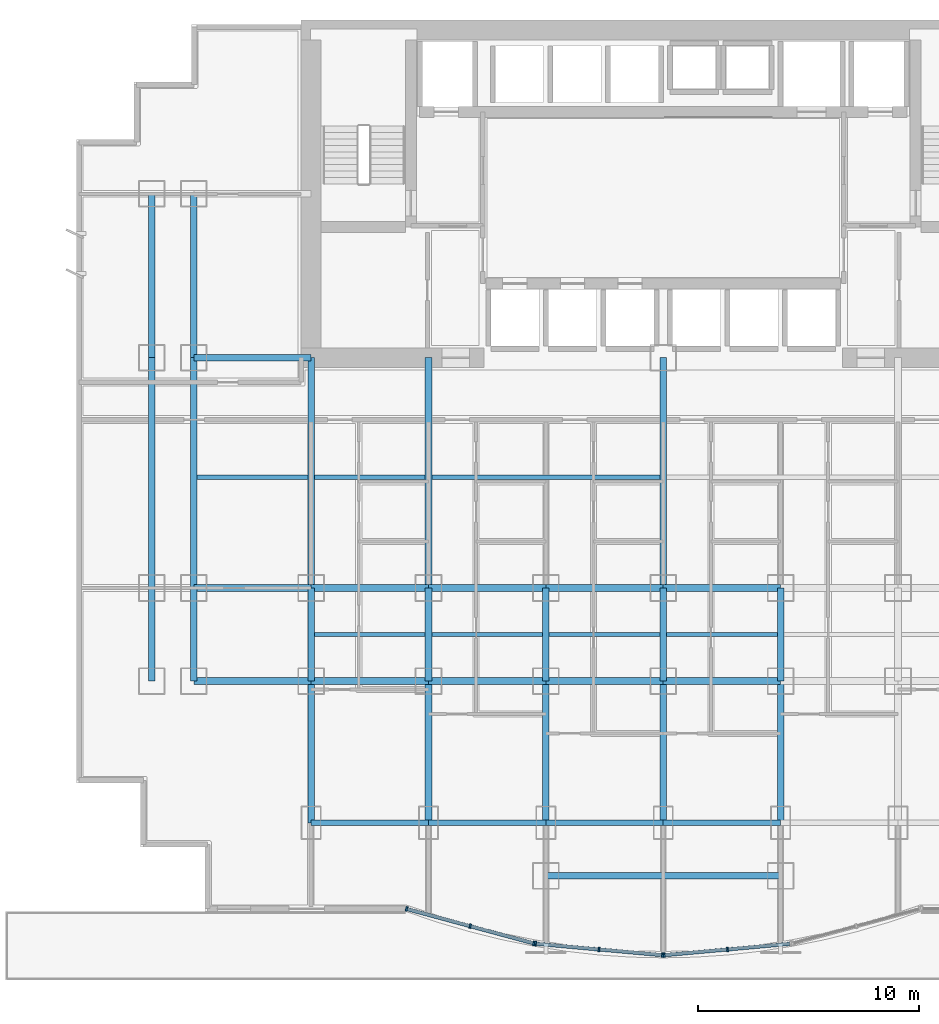
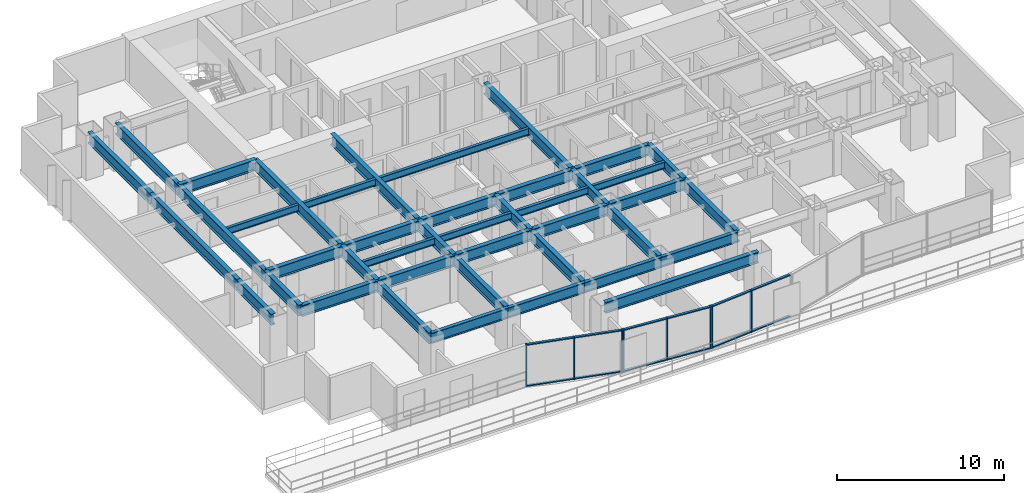
# One storey, part 2 of 11: 42 beams, 20 members, 3 elements without a shape of their own.
"""IFC4 building model written with IfcOpenShell, lengths in metres."""

from ifc_helpers import new_model, si_unit, direction, frame, origin, origin_2d, place, context, subcontext, project, spatial, rectangle, i_section, extrude, source, transform, mapped, material, layer, layer_set, material_profile, profile_set, type_object, element, aggregate, save


model = new_model("IFC4")

# Units and contexts
model_context = context("Model", 3, precision=1e-05, world=origin(), true_north=direction((0.0, 1.0)))
body_context = subcontext(model_context, "Body", "Model", "MODEL_VIEW")
ifc_project = project(units=[si_unit("LENGTHUNIT", "METRE"), si_unit("AREAUNIT", "SQUARE_METRE"), si_unit("VOLUMEUNIT", "CUBIC_METRE"), si_unit("PLANEANGLEUNIT", "RADIAN"), si_unit("MASSUNIT", "GRAM", prefix="KILO")], contexts=[model_context])

# Site, building, storey
site_placement = place(None, origin())
site = spatial("IfcSite", under=ifc_project, at=site_placement, CompositionType="ELEMENT")
building_placement = place(site_placement, origin())
building = spatial("IfcBuilding", under=site, at=building_placement, Name="Qianlan Lanfeng Residences", CompositionType="ELEMENT")
storey_placement = place(building_placement, frame((0.0, 0.0, 24.199951171875)))
storey = spatial("IfcBuildingStorey", under=building, at=storey_placement, Name="L05", CompositionType="ELEMENT", Elevation=24.199951171875)

# Beams
ifc_material_1 = material(Name="Steel SN490B", Category="steel")
ifc_material_profile_1 = material_profile(ifc_material_1, i_section(OverallWidth=0.300048828125, OverallDepth=0.800048828125, WebThickness=0.01611328125, FlangeThickness=0.028076171875, at=origin_2d()), Name="H 800x300x16x28")
ifc_profile_set_1 = profile_set([ifc_material_profile_1], Name="Steel SN490B")
beam_type_1 = type_object("IfcBeamType", Name="G-950", PredefinedType="BEAM", material=ifc_profile_set_1)
beam_1_placement = place(storey_placement, frame((21.199951171875, 1.800048828125, 2.679931640625), z_axis=(1.0, 0.0, 0.0), x_axis=(0.0, 1.0, 0.0)))
element("IfcBeam", 1, at=beam_1_placement, inside=storey, type_object=beam_type_1, Name="Structural beam G-950", PredefinedType="BEAM", context=body_context, shape_type="SweptSolid", body=[
    extrude(i_section(OverallWidth=0.300048828125, OverallDepth=0.800048828125, WebThickness=0.01611328125, FlangeThickness=0.028076171875, at=origin_2d()), origin(), (0.0, 0.0, 1.0), 10.60009765625),
])
beam_2_placement = place(storey_placement, frame((5.300048828125, 10.60009765625, 2.679931640625), z_axis=(1.0, 0.0, 0.0), x_axis=(0.0, 1.0, 0.0)))
element("IfcBeam", 2, at=beam_2_placement, inside=storey, type_object=beam_type_1, Name="Structural beam G-950", PredefinedType="BEAM", context=body_context, shape_type="SweptSolid", body=[
    extrude(i_section(OverallWidth=0.300048828125, OverallDepth=0.800048828125, WebThickness=0.01611328125, FlangeThickness=0.028076171875, at=origin_2d()), origin(), (0.0, 0.0, 1.0), 5.300048828125),
])
beam_3_placement = place(storey_placement, frame((10.60009765625, 10.60009765625, 2.679931640625), z_axis=(1.0, 0.0, 0.0), x_axis=(0.0, 1.0, 0.0)))
element("IfcBeam", 3, at=beam_3_placement, inside=storey, type_object=beam_type_1, Name="Structural beam G-950", PredefinedType="BEAM", context=body_context, shape_type="SweptSolid", body=[
    extrude(i_section(OverallWidth=0.300048828125, OverallDepth=0.800048828125, WebThickness=0.01611328125, FlangeThickness=0.028076171875, at=origin_2d()), origin(), (0.0, 0.0, 1.0), 5.2998046875),
])
for number, where, z_axis, x_axis, name in (
    (4, (15.89990234375, 10.60009765625, 2.679931640625), (1.0, 0.0, 0.0), (0.0, 1.0, 0.0), "Structural beam G-950"),
    (5, (21.199951171875, 10.60009765625, 2.679931640625), (1.0, 0.0, 0.0), (0.0, 1.0, 0.0), "Structural beam G-950"),
    (6, (26.5, 10.60009765625, 2.679931640625), (1.0, 0.0, 0.0), (0.0, 1.0, 0.0), "Structural beam G-950"),
    (7, (5.300048828125, 14.800048828125, 2.679931640625), (1.0, 0.0, 0.0), (0.0, 1.0, 0.0), "Structural beam G-950"),
):
    element("IfcBeam", number, at=place(storey_placement, frame(where, z_axis=z_axis, x_axis=x_axis)), inside=storey, type_object=beam_type_1, Name=name, PredefinedType="BEAM", context=body_context, shape_type="SweptSolid", body=[
        extrude(i_section(OverallWidth=0.300048828125, OverallDepth=0.800048828125, WebThickness=0.01611328125, FlangeThickness=0.028076171875, at=origin_2d()), origin(), (0.0, 0.0, 1.0), 5.300048828125),
    ])
beam_4_placement = place(storey_placement, frame((10.60009765625, 14.800048828125, 2.679931640625), z_axis=(1.0, 0.0, 0.0), x_axis=(0.0, 1.0, 0.0)))
element("IfcBeam", 8, at=beam_4_placement, inside=storey, type_object=beam_type_1, Name="Structural beam G-950", PredefinedType="BEAM", context=body_context, shape_type="SweptSolid", body=[
    extrude(i_section(OverallWidth=0.300048828125, OverallDepth=0.800048828125, WebThickness=0.01611328125, FlangeThickness=0.028076171875, at=origin_2d()), origin(), (0.0, 0.0, 1.0), 5.2998046875),
])
for number, where, z_axis, x_axis, name in (
    (9, (15.89990234375, 14.800048828125, 2.679931640625), (1.0, 0.0, 0.0), (0.0, 1.0, 0.0), "Structural beam G-950"),
    (10, (21.199951171875, 14.800048828125, 2.679931640625), (1.0, 0.0, 0.0), (0.0, 1.0, 0.0), "Structural beam G-950"),
    (11, (26.5, 14.800048828125, 2.679931640625), (1.0, 0.0, 0.0), (0.0, 1.0, 0.0), "Structural beam G-950"),
    (12, (5.300048828125, 25.199951171875, 2.679931640625), (1.0, 0.0, 0.0), (0.0, 1.0, 0.0), "Structural beam G-950"),
):
    element("IfcBeam", number, at=place(storey_placement, frame(where, z_axis=z_axis, x_axis=x_axis)), inside=storey, type_object=beam_type_1, Name=name, PredefinedType="BEAM", context=body_context, shape_type="SweptSolid", body=[
        extrude(i_section(OverallWidth=0.300048828125, OverallDepth=0.800048828125, WebThickness=0.01611328125, FlangeThickness=0.028076171875, at=origin_2d()), origin(), (0.0, 0.0, 1.0), 5.300048828125),
    ])
beam_5_placement = place(storey_placement, frame((3.39990234375, 10.60009765625, 2.679931640625), z_axis=(0.0, 1.0, 0.0), x_axis=(-1.0, 0.0, 0.0)))
element("IfcBeam", 13, at=beam_5_placement, inside=storey, type_object=beam_type_1, Name="Structural beam G-950", PredefinedType="BEAM", context=body_context, shape_type="SweptSolid", body=[
    extrude(i_section(OverallWidth=0.300048828125, OverallDepth=0.800048828125, WebThickness=0.01611328125, FlangeThickness=0.028076171875, at=origin_2d()), origin(), (0.0, 0.0, 1.0), 4.199951171875),
])
beam_6_placement = place(storey_placement, frame((3.39990234375, 14.800048828125, 2.679931640625), z_axis=(0.0, 1.0, 0.0), x_axis=(-1.0, 0.0, 0.0)))
element("IfcBeam", 14, at=beam_6_placement, inside=storey, type_object=beam_type_1, Name="Structural beam G-950", PredefinedType="BEAM", context=body_context, shape_type="SweptSolid", body=[
    extrude(i_section(OverallWidth=0.300048828125, OverallDepth=0.800048828125, WebThickness=0.01611328125, FlangeThickness=0.028076171875, at=origin_2d()), origin(), (0.0, 0.0, 1.0), 10.39990234375),
])
beam_7_placement = place(storey_placement, frame((3.39990234375, 25.199951171875, 2.679931640625), z_axis=(0.0, 1.0, 0.0), x_axis=(-1.0, 0.0, 0.0)))
element("IfcBeam", 15, at=beam_7_placement, inside=storey, type_object=beam_type_1, Name="Structural beam G-950", PredefinedType="BEAM", context=body_context, shape_type="SweptSolid", body=[
    extrude(i_section(OverallWidth=0.300048828125, OverallDepth=0.800048828125, WebThickness=0.01611328125, FlangeThickness=0.028076171875, at=origin_2d()), origin(), (0.0, 0.0, 1.0), 7.400146484375),
])
beam_8_placement = place(storey_placement, frame((5.300048828125, 10.60009765625, 2.679931640625), z_axis=(0.0, 1.0, 0.0), x_axis=(-1.0, 0.0, 0.0)))
element("IfcBeam", 16, at=beam_8_placement, inside=storey, type_object=beam_type_1, Name="Structural beam G-950", PredefinedType="BEAM", context=body_context, shape_type="SweptSolid", body=[
    extrude(i_section(OverallWidth=0.300048828125, OverallDepth=0.800048828125, WebThickness=0.01611328125, FlangeThickness=0.028076171875, at=origin_2d()), origin(), (0.0, 0.0, 1.0), 4.199951171875),
])
beam_9_placement = place(storey_placement, frame((5.300048828125, 14.800048828125, 2.679931640625), z_axis=(0.0, 1.0, 0.0), x_axis=(-1.0, 0.0, 0.0)))
element("IfcBeam", 17, at=beam_9_placement, inside=storey, type_object=beam_type_1, Name="Structural beam G-950", PredefinedType="BEAM", context=body_context, shape_type="SweptSolid", body=[
    extrude(i_section(OverallWidth=0.300048828125, OverallDepth=0.800048828125, WebThickness=0.01611328125, FlangeThickness=0.028076171875, at=origin_2d()), origin(), (0.0, 0.0, 1.0), 10.39990234375),
])
beam_10_placement = place(storey_placement, frame((5.300048828125, 25.199951171875, 2.679931640625), z_axis=(0.0, 1.0, 0.0), x_axis=(-1.0, 0.0, 0.0)))
element("IfcBeam", 18, at=beam_10_placement, inside=storey, type_object=beam_type_1, Name="Structural beam G-950", PredefinedType="BEAM", context=body_context, shape_type="SweptSolid", body=[
    extrude(i_section(OverallWidth=0.300048828125, OverallDepth=0.800048828125, WebThickness=0.01611328125, FlangeThickness=0.028076171875, at=origin_2d()), origin(), (0.0, 0.0, 1.0), 7.400146484375),
])
beam_11_placement = place(storey_placement, frame((10.60009765625, 4.199951171875, 2.679931640625), z_axis=(0.0, 1.0, 0.0), x_axis=(-1.0, 0.0, 0.0)))
element("IfcBeam", 19, at=beam_11_placement, inside=storey, type_object=beam_type_1, Name="Structural beam G-950", PredefinedType="BEAM", context=body_context, shape_type="SweptSolid", body=[
    extrude(i_section(OverallWidth=0.300048828125, OverallDepth=0.800048828125, WebThickness=0.01611328125, FlangeThickness=0.028076171875, at=origin_2d()), origin(), (0.0, 0.0, 1.0), 6.400146484375),
])
beam_12_placement = place(storey_placement, frame((10.60009765625, 10.60009765625, 2.679931640625), z_axis=(0.0, 1.0, 0.0), x_axis=(-1.0, 0.0, 0.0)))
element("IfcBeam", 20, at=beam_12_placement, inside=storey, type_object=beam_type_1, Name="Structural beam G-950", PredefinedType="BEAM", context=body_context, shape_type="SweptSolid", body=[
    extrude(i_section(OverallWidth=0.300048828125, OverallDepth=0.800048828125, WebThickness=0.01611328125, FlangeThickness=0.028076171875, at=origin_2d()), origin(), (0.0, 0.0, 1.0), 4.199951171875),
])
beam_13_placement = place(storey_placement, frame((10.60009765625, 14.800048828125, 2.679931640625), z_axis=(0.0, 1.0, 0.0), x_axis=(-1.0, 0.0, 0.0)))
element("IfcBeam", 21, at=beam_13_placement, inside=storey, type_object=beam_type_1, Name="Structural beam G-950", PredefinedType="BEAM", context=body_context, shape_type="SweptSolid", body=[
    extrude(i_section(OverallWidth=0.300048828125, OverallDepth=0.800048828125, WebThickness=0.01611328125, FlangeThickness=0.028076171875, at=origin_2d()), origin(), (0.0, 0.0, 1.0), 10.39990234375),
])
beam_14_placement = place(storey_placement, frame((15.89990234375, 4.199951171875, 2.679931640625), z_axis=(0.0, 1.0, 0.0), x_axis=(-1.0, 0.0, 0.0)))
element("IfcBeam", 22, at=beam_14_placement, inside=storey, type_object=beam_type_1, Name="Structural beam G-950", PredefinedType="BEAM", context=body_context, shape_type="SweptSolid", body=[
    extrude(i_section(OverallWidth=0.300048828125, OverallDepth=0.800048828125, WebThickness=0.01611328125, FlangeThickness=0.028076171875, at=origin_2d()), origin(), (0.0, 0.0, 1.0), 6.400146484375),
])
beam_15_placement = place(storey_placement, frame((15.89990234375, 10.60009765625, 2.679931640625), z_axis=(0.0, 1.0, 0.0), x_axis=(-1.0, 0.0, 0.0)))
element("IfcBeam", 23, at=beam_15_placement, inside=storey, type_object=beam_type_1, Name="Structural beam G-950", PredefinedType="BEAM", context=body_context, shape_type="SweptSolid", body=[
    extrude(i_section(OverallWidth=0.300048828125, OverallDepth=0.800048828125, WebThickness=0.01611328125, FlangeThickness=0.028076171875, at=origin_2d()), origin(), (0.0, 0.0, 1.0), 4.199951171875),
])
beam_16_placement = place(storey_placement, frame((15.89990234375, 14.800048828125, 2.679931640625), z_axis=(0.0, 1.0, 0.0), x_axis=(-1.0, 0.0, 0.0)))
element("IfcBeam", 24, at=beam_16_placement, inside=storey, type_object=beam_type_1, Name="Structural beam G-950", PredefinedType="BEAM", context=body_context, shape_type="SweptSolid", body=[
    extrude(i_section(OverallWidth=0.300048828125, OverallDepth=0.800048828125, WebThickness=0.01611328125, FlangeThickness=0.028076171875, at=origin_2d()), origin(), (0.0, 0.0, 1.0), 10.39990234375),
])
beam_17_placement = place(storey_placement, frame((21.199951171875, 4.199951171875, 2.679931640625), z_axis=(0.0, 1.0, 0.0), x_axis=(-1.0, 0.0, 0.0)))
element("IfcBeam", 25, at=beam_17_placement, inside=storey, type_object=beam_type_1, Name="Structural beam G-950", PredefinedType="BEAM", context=body_context, shape_type="SweptSolid", body=[
    extrude(i_section(OverallWidth=0.300048828125, OverallDepth=0.800048828125, WebThickness=0.01611328125, FlangeThickness=0.028076171875, at=origin_2d()), origin(), (0.0, 0.0, 1.0), 6.400146484375),
])
beam_18_placement = place(storey_placement, frame((21.199951171875, 10.60009765625, 2.679931640625), z_axis=(0.0, 1.0, 0.0), x_axis=(-1.0, 0.0, 0.0)))
element("IfcBeam", 26, at=beam_18_placement, inside=storey, type_object=beam_type_1, Name="Structural beam G-950", PredefinedType="BEAM", context=body_context, shape_type="SweptSolid", body=[
    extrude(i_section(OverallWidth=0.300048828125, OverallDepth=0.800048828125, WebThickness=0.01611328125, FlangeThickness=0.028076171875, at=origin_2d()), origin(), (0.0, 0.0, 1.0), 4.199951171875),
])
beam_19_placement = place(storey_placement, frame((26.5, 4.199951171875, 2.679931640625), z_axis=(0.0, 1.0, 0.0), x_axis=(-1.0, 0.0, 0.0)))
element("IfcBeam", 27, at=beam_19_placement, inside=storey, type_object=beam_type_1, Name="Structural beam G-950", PredefinedType="BEAM", context=body_context, shape_type="SweptSolid", body=[
    extrude(i_section(OverallWidth=0.300048828125, OverallDepth=0.800048828125, WebThickness=0.01611328125, FlangeThickness=0.028076171875, at=origin_2d()), origin(), (0.0, 0.0, 1.0), 6.400146484375),
])
beam_20_placement = place(storey_placement, frame((26.5, 10.60009765625, 2.679931640625), z_axis=(0.0, 1.0, 0.0), x_axis=(-1.0, 0.0, 0.0)))
element("IfcBeam", 28, at=beam_20_placement, inside=storey, type_object=beam_type_1, Name="Structural beam G-950", PredefinedType="BEAM", context=body_context, shape_type="SweptSolid", body=[
    extrude(i_section(OverallWidth=0.300048828125, OverallDepth=0.800048828125, WebThickness=0.01611328125, FlangeThickness=0.028076171875, at=origin_2d()), origin(), (0.0, 0.0, 1.0), 4.199951171875),
])
beam_21_placement = place(storey_placement, frame((26.5, 14.800048828125, 2.679931640625), z_axis=(0.0, 1.0, 0.0), x_axis=(-1.0, 0.0, 0.0)))
element("IfcBeam", 29, at=beam_21_placement, inside=storey, type_object=beam_type_1, Name="Structural beam G-950", PredefinedType="BEAM", context=body_context, shape_type="SweptSolid", body=[
    extrude(i_section(OverallWidth=0.300048828125, OverallDepth=0.800048828125, WebThickness=0.01611328125, FlangeThickness=0.028076171875, at=origin_2d()), origin(), (0.0, 0.0, 1.0), 10.39990234375),
])
beam_22_placement = place(storey_placement, frame((31.800048828125, 4.199951171875, 2.679931640625), z_axis=(0.0, 1.0, 0.0), x_axis=(-1.0, 0.0, 0.0)))
element("IfcBeam", 30, at=beam_22_placement, inside=storey, type_object=beam_type_1, Name="Structural beam G-950", PredefinedType="BEAM", context=body_context, shape_type="SweptSolid", body=[
    extrude(i_section(OverallWidth=0.300048828125, OverallDepth=0.800048828125, WebThickness=0.01611328125, FlangeThickness=0.028076171875, at=origin_2d()), origin(), (0.0, 0.0, 1.0), 6.400146484375),
])
beam_23_placement = place(storey_placement, frame((31.800048828125, 10.60009765625, 2.679931640625), z_axis=(0.0, 1.0, 0.0), x_axis=(-1.0, 0.0, 0.0)))
element("IfcBeam", 31, at=beam_23_placement, inside=storey, type_object=beam_type_1, Name="Structural beam G-950", PredefinedType="BEAM", context=body_context, shape_type="SweptSolid", body=[
    extrude(i_section(OverallWidth=0.300048828125, OverallDepth=0.800048828125, WebThickness=0.01611328125, FlangeThickness=0.028076171875, at=origin_2d()), origin(), (0.0, 0.0, 1.0), 4.199951171875),
])
ifc_material_profile_2 = material_profile(ifc_material_1, i_section(OverallWidth=0.199951171875, OverallDepth=0.5, WebThickness=0.010009765625, FlangeThickness=0.01611328125, at=origin_2d()), Name="H 500x200x10x16")
ifc_profile_set_2 = profile_set([ifc_material_profile_2], Name="Steel SN490B")
beam_type_2 = type_object("IfcBeamType", Name="J-500", PredefinedType="JOIST", material=ifc_profile_set_2)
for number, where, z_axis, x_axis, name in (
    (32, (10.75, 12.699951171875, 2.830078125), (1.0, 0.0, 0.0), (0.0, 1.0, 0.0), "Structural beam J-500"),
    (33, (16.050048828125, 12.699951171875, 2.830078125), (1.0, 0.0, 0.0), (0.0, 1.0, 0.0), "Structural beam J-500"),
    (34, (21.35009765625, 12.699951171875, 2.830078125), (1.0, 0.0, 0.0), (0.0, 1.0, 0.0), "Structural beam J-500"),
    (35, (26.64990234375, 12.699951171875, 2.830078125), (1.0, 0.0, 0.0), (0.0, 1.0, 0.0), "Structural beam J-500"),
    (36, (5.449951171875, 19.800048828125, 2.830078125), (1.0, 0.0, 0.0), (0.0, 1.0, 0.0), "Structural beam J-500"),
    (37, (10.75, 19.800048828125, 2.830078125), (1.0, 0.0, 0.0), (0.0, 1.0, 0.0), "Structural beam J-500"),
):
    element("IfcBeam", number, at=place(storey_placement, frame(where, z_axis=z_axis, x_axis=x_axis)), inside=storey, type_object=beam_type_2, Name=name, PredefinedType="JOIST", context=body_context, shape_type="SweptSolid", body=[
        extrude(i_section(OverallWidth=0.199951171875, OverallDepth=0.5, WebThickness=0.010009765625, FlangeThickness=0.01611328125, at=origin_2d()), origin(), (0.0, 0.0, 1.0), 5.0),
    ])
beam_24_placement = place(storey_placement, frame((16.050048828125, 19.800048828125, 2.830078125), z_axis=(1.0, 0.0, 0.0), x_axis=(0.0, 1.0, 0.0)))
element("IfcBeam", 38, at=beam_24_placement, inside=storey, type_object=beam_type_2, Name="Structural beam J-500", PredefinedType="JOIST", context=body_context, shape_type="SweptSolid", body=[
    extrude(i_section(OverallWidth=0.199951171875, OverallDepth=0.5, WebThickness=0.010009765625, FlangeThickness=0.01611328125, at=origin_2d()), origin(), (0.0, 0.0, 1.0), 10.300048828125),
])
ifc_material_profile_3 = material_profile(ifc_material_1, i_section(OverallWidth=0.25, OverallDepth=0.75, WebThickness=0.013916015625, FlangeThickness=0.02490234375, at=origin_2d()), Name="H 750x250x14x25")
ifc_profile_set_3 = profile_set([ifc_material_profile_3], Name="Steel SN490B")
beam_type_3 = type_object("IfcBeamType", Name="SG-850", PredefinedType="SPANDREL", material=ifc_profile_set_3)
beam_25_placement = place(storey_placement, frame((10.60009765625, 4.199951171875, 2.705078125), z_axis=(1.0, 0.0, 0.0), x_axis=(0.0, 1.0, 0.0)))
element("IfcBeam", 39, at=beam_25_placement, inside=storey, type_object=beam_type_3, Name="Structural beam SG-850", PredefinedType="SPANDREL", context=body_context, shape_type="SweptSolid", body=[
    extrude(i_section(OverallWidth=0.25, OverallDepth=0.75, WebThickness=0.013916015625, FlangeThickness=0.02490234375, at=origin_2d()), origin(), (0.0, 0.0, 1.0), 5.2998046875),
])
for number, where, z_axis, x_axis, name in (
    (40, (15.89990234375, 4.199951171875, 2.705078125), (1.0, 0.0, 0.0), (0.0, 1.0, 0.0), "Structural beam SG-850"),
    (41, (21.199951171875, 4.199951171875, 2.705078125), (1.0, 0.0, 0.0), (0.0, 1.0, 0.0), "Structural beam SG-850"),
    (42, (26.5, 4.199951171875, 2.705078125), (1.0, 0.0, 0.0), (0.0, 1.0, 0.0), "Structural beam SG-850"),
):
    element("IfcBeam", number, at=place(storey_placement, frame(where, z_axis=z_axis, x_axis=x_axis)), inside=storey, type_object=beam_type_3, Name=name, PredefinedType="SPANDREL", context=body_context, shape_type="SweptSolid", body=[
        extrude(i_section(OverallWidth=0.25, OverallDepth=0.75, WebThickness=0.013916015625, FlangeThickness=0.02490234375, at=origin_2d()), origin(), (0.0, 0.0, 1.0), 5.300048828125),
    ])

# Curtain wall, members
ifc_material_2 = material(Name="Anodised Bronze Aluminium 6063-T6", Category="aluminium")
ifc_layer = layer(ifc_material_2, 0.219970703125)
ifc_layer_set = layer_set([ifc_layer], Name="Anodised Bronze Aluminium 6063-T6")
curtain_wall_type = type_object("IfcCurtainWallType", Name="CW-02", PredefinedType="NOTDEFINED", material=ifc_layer_set)
curtain_wall_1_placement = place(storey_placement, origin())
curtain_wall_1 = element("IfcCurtainWall", 43, at=curtain_wall_1_placement, inside=storey, type_object=curtain_wall_type, Name="L05 Unitised Curtain Wall CWR-L05-01 (CW-02)", PredefinedType="NOTDEFINED")
ifc_material_profile_4 = material_profile(ifc_material_2, rectangle(XDim=0.080078125, YDim=0.2099609375, at=origin_2d()), Name="ALU MULLION 80x210")
ifc_profile_set_4 = profile_set([ifc_material_profile_4], Name="Anodised Bronze Aluminium 6063-T6")
member_type_1 = type_object("IfcMemberType", Name="CWM-220", PredefinedType="MULLION", material=ifc_profile_set_4)
shared_shape_1 = source(origin(), body_context, "Body", "SweptSolid", [
    extrude(rectangle(XDim=0.080078125, YDim=0.2099609375, at=origin_2d()), origin(), (0.0, 0.0, 1.0), 3.080078125),
])
member_1_placement = place(storey_placement, frame((14.90869140625, 0.3095703125, 0.0), z_axis=(0.0, 0.0, 1.0), x_axis=(0.9652627173, -0.261281240412, 0.0)))
member_1 = element("IfcMember", 44, at=member_1_placement, type_object=member_type_1, Name="CWR-L05-01 Mullion 1", PredefinedType="MULLION", context=body_context, shape_type="MappedRepresentation", body=[
    mapped(shared_shape_1, transform((0.0, 0.0, 0.0), scale=1.0)),
])
member_2_placement = place(storey_placement, frame((17.782958984375, -0.468505859375, 0.0), z_axis=(0.0, 0.0, 1.0), x_axis=(0.9652627173, -0.261281240412, 0.0)))
member_2 = element("IfcMember", 45, at=member_2_placement, type_object=member_type_1, Name="CWR-L05-01 Mullion 2", PredefinedType="MULLION", context=body_context, shape_type="MappedRepresentation", body=[
    mapped(shared_shape_1, transform((0.0, 0.0, 0.0), scale=1.0)),
])
member_3_placement = place(storey_placement, frame((20.657470703125, -1.24658203125, 0.0), z_axis=(0.0, 0.0, 1.0), x_axis=(0.9652627173, -0.261281240412, 0.0)))
member_3 = element("IfcMember", 46, at=member_3_placement, type_object=member_type_1, Name="CWR-L05-01 Mullion 3", PredefinedType="MULLION", context=body_context, shape_type="MappedRepresentation", body=[
    mapped(shared_shape_1, transform((0.0, 0.0, 0.0), scale=1.0)),
])

curtain_wall_2_placement = place(storey_placement, origin())
curtain_wall_2 = element("IfcCurtainWall", 47, at=curtain_wall_2_placement, inside=storey, type_object=curtain_wall_type, Name="L05 Unitised Curtain Wall CWR-L05-02 (CW-02)", PredefinedType="NOTDEFINED")
member_4_placement = place(storey_placement, frame((20.73583984375, -1.260498046875, 0.0), z_axis=(0.0, 0.0, 1.0), x_axis=(0.995964677764, -0.089746089862, 0.0)))
member_4 = element("IfcMember", 48, at=member_4_placement, type_object=member_type_1, Name="CWR-L05-02 Mullion 1", PredefinedType="MULLION", context=body_context, shape_type="MappedRepresentation", body=[
    mapped(shared_shape_1, transform((0.0, 0.0, 0.0), scale=1.0)),
])
member_5_placement = place(storey_placement, frame((23.597900390625, -1.5185546875, 0.0), z_axis=(0.0, 0.0, 1.0), x_axis=(0.995964677764, -0.089746089862, 0.0)))
member_5 = element("IfcMember", 49, at=member_5_placement, type_object=member_type_1, Name="CWR-L05-02 Mullion 2", PredefinedType="MULLION", context=body_context, shape_type="MappedRepresentation", body=[
    mapped(shared_shape_1, transform((0.0, 0.0, 0.0), scale=1.0)),
])
member_6_placement = place(storey_placement, frame((26.460205078125, -1.7763671875, 0.0), z_axis=(0.0, 0.0, 1.0), x_axis=(0.995964677764, -0.089746089862, 0.0)))
member_6 = element("IfcMember", 50, at=member_6_placement, type_object=member_type_1, Name="CWR-L05-02 Mullion 3", PredefinedType="MULLION", context=body_context, shape_type="MappedRepresentation", body=[
    mapped(shared_shape_1, transform((0.0, 0.0, 0.0), scale=1.0)),
])

curtain_wall_3_placement = place(storey_placement, origin())
curtain_wall_3 = element("IfcCurtainWall", 51, at=curtain_wall_3_placement, inside=storey, type_object=curtain_wall_type, Name="L05 Unitised Curtain Wall CWR-L05-03 (CW-02)", PredefinedType="NOTDEFINED")
member_7_placement = place(storey_placement, frame((26.539794921875, -1.7763671875, 0.0), z_axis=(0.0, 0.0, 1.0), x_axis=(0.995964677764, 0.089746089862, 0.0)))
member_7 = element("IfcMember", 52, at=member_7_placement, type_object=member_type_1, Name="CWR-L05-03 Mullion 1", PredefinedType="MULLION", context=body_context, shape_type="MappedRepresentation", body=[
    mapped(shared_shape_1, transform((0.0, 0.0, 0.0), scale=1.0)),
])
member_8_placement = place(storey_placement, frame((29.402099609375, -1.5185546875, 0.0), z_axis=(0.0, 0.0, 1.0), x_axis=(0.995964677764, 0.089746089862, 0.0)))
member_8 = element("IfcMember", 53, at=member_8_placement, type_object=member_type_1, Name="CWR-L05-03 Mullion 2", PredefinedType="MULLION", context=body_context, shape_type="MappedRepresentation", body=[
    mapped(shared_shape_1, transform((0.0, 0.0, 0.0), scale=1.0)),
])

# Member
ifc_material_profile_5 = material_profile(ifc_material_2, rectangle(XDim=0.080078125, YDim=0.159912109375, at=origin_2d()), Name="ALU TRANSOM 80x160")
ifc_profile_set_5 = profile_set([ifc_material_profile_5], Name="Anodised Bronze Aluminium 6063-T6")
member_type_2 = type_object("IfcMemberType", Name="CWT-180", PredefinedType="USERDEFINED", material=ifc_profile_set_5)
shared_shape_2 = source(origin(), body_context, "Body", "SweptSolid", [
    extrude(rectangle(XDim=0.080078125, YDim=0.159912109375, at=origin_2d()), origin(), (0.0, 0.0, 1.0), 2.897705078125),
])
member_9_placement = place(storey_placement, frame((14.947265625, 0.299072265625, 0.0400390625), z_axis=(0.965267548724, -0.261263390817, 0.0), x_axis=(0.0, 0.0, 1.0)))
member_9 = element("IfcMember", 54, at=member_9_placement, type_object=member_type_2, Name="CWR-L05-01 Transom 1-BOT", ObjectType="TRANSOM", PredefinedType="USERDEFINED", context=body_context, shape_type="MappedRepresentation", body=[
    mapped(shared_shape_2, transform((0.0, 0.0, 0.0), scale=1.0)),
])

member_10_placement = place(storey_placement, frame((14.947265625, 0.299072265625, 3.0400390625), z_axis=(0.965267548724, -0.261263390817, 0.0), x_axis=(0.0, 0.0, 1.0)))
member_10 = element("IfcMember", 55, at=member_10_placement, type_object=member_type_2, Name="CWR-L05-01 Transom 1-TOP", ObjectType="TRANSOM", PredefinedType="USERDEFINED", context=body_context, shape_type="MappedRepresentation", body=[
    mapped(shared_shape_2, transform((0.0, 0.0, 0.0), scale=1.0)),
])

shared_shape_3 = source(origin(), body_context, "Body", "SweptSolid", [
    extrude(rectangle(XDim=0.080078125, YDim=0.159912109375, at=origin_2d()), origin(), (0.0, 0.0, 1.0), 2.89794921875),
])
member_11_placement = place(storey_placement, frame((17.821533203125, -0.47900390625, 0.0400390625), z_axis=(0.965273298897, -0.261242145215, 0.0), x_axis=(0.0, 0.0, 1.0)))
member_11 = element("IfcMember", 56, at=member_11_placement, type_object=member_type_2, Name="CWR-L05-01 Transom 2-BOT", ObjectType="TRANSOM", PredefinedType="USERDEFINED", context=body_context, shape_type="MappedRepresentation", body=[
    mapped(shared_shape_3, transform((0.0, 0.0, 0.0), scale=1.0)),
])

member_12_placement = place(storey_placement, frame((17.821533203125, -0.47900390625, 3.0400390625), z_axis=(0.965273298897, -0.261242145215, 0.0), x_axis=(0.0, 0.0, 1.0)))
member_12 = element("IfcMember", 57, at=member_12_placement, type_object=member_type_2, Name="CWR-L05-01 Transom 2-TOP", ObjectType="TRANSOM", PredefinedType="USERDEFINED", context=body_context, shape_type="MappedRepresentation", body=[
    mapped(shared_shape_3, transform((0.0, 0.0, 0.0), scale=1.0)),
])

aggregate(curtain_wall_1, [member_1, member_2, member_3, member_9, member_10, member_11, member_12])

shared_shape_4 = source(origin(), body_context, "Body", "SweptSolid", [
    extrude(rectangle(XDim=0.080078125, YDim=0.159912109375, at=origin_2d()), origin(), (0.0, 0.0, 1.0), 2.793701171875),
])
member_13_placement = place(storey_placement, frame((20.775634765625, -1.26416015625, 0.0400390625), z_axis=(0.995964524532, -0.089747790357, 0.0), x_axis=(0.0, 0.0, 1.0)))
member_13 = element("IfcMember", 58, at=member_13_placement, type_object=member_type_2, Name="CWR-L05-02 Transom 1-BOT", ObjectType="TRANSOM", PredefinedType="USERDEFINED", context=body_context, shape_type="MappedRepresentation", body=[
    mapped(shared_shape_4, transform((0.0, 0.0, 0.0), scale=1.0)),
])

member_14_placement = place(storey_placement, frame((20.775634765625, -1.26416015625, 3.0400390625), z_axis=(0.995964524532, -0.089747790357, 0.0), x_axis=(0.0, 0.0, 1.0)))
member_14 = element("IfcMember", 59, at=member_14_placement, type_object=member_type_2, Name="CWR-L05-02 Transom 1-TOP", ObjectType="TRANSOM", PredefinedType="USERDEFINED", context=body_context, shape_type="MappedRepresentation", body=[
    mapped(shared_shape_4, transform((0.0, 0.0, 0.0), scale=1.0)),
])

member_15_placement = place(storey_placement, frame((23.637939453125, -1.522216796875, 0.0400390625), z_axis=(0.995972332078, -0.089661104915, 0.0), x_axis=(0.0, 0.0, 1.0)))
member_15 = element("IfcMember", 60, at=member_15_placement, type_object=member_type_2, Name="CWR-L05-02 Transom 2-BOT", ObjectType="TRANSOM", PredefinedType="USERDEFINED", context=body_context, shape_type="MappedRepresentation", body=[
    mapped(shared_shape_4, transform((0.0, 0.0, 0.0), scale=1.0)),
])

member_16_placement = place(storey_placement, frame((23.637939453125, -1.522216796875, 3.0400390625), z_axis=(0.995972332078, -0.089661104915, 0.0), x_axis=(0.0, 0.0, 1.0)))
member_16 = element("IfcMember", 61, at=member_16_placement, type_object=member_type_2, Name="CWR-L05-02 Transom 2-TOP", ObjectType="TRANSOM", PredefinedType="USERDEFINED", context=body_context, shape_type="MappedRepresentation", body=[
    mapped(shared_shape_4, transform((0.0, 0.0, 0.0), scale=1.0)),
])

aggregate(curtain_wall_2, [member_4, member_5, member_6, member_13, member_14, member_15, member_16])

member_17_placement = place(storey_placement, frame((29.44189453125, -1.514892578125, 0.0400390625), z_axis=(0.995964524532, 0.089747790357, 0.0), x_axis=(0.0, 0.0, 1.0)))
member_17 = element("IfcMember", 62, at=member_17_placement, type_object=member_type_2, Name="CWR-L05-03 Transom 2-BOT", ObjectType="TRANSOM", PredefinedType="USERDEFINED", context=body_context, shape_type="MappedRepresentation", body=[
    mapped(shared_shape_4, transform((0.0, 0.0, 0.0), scale=1.0)),
])

member_18_placement = place(storey_placement, frame((29.44189453125, -1.514892578125, 3.0400390625), z_axis=(0.995964524532, 0.089747790357, 0.0), x_axis=(0.0, 0.0, 1.0)))
member_18 = element("IfcMember", 63, at=member_18_placement, type_object=member_type_2, Name="CWR-L05-03 Transom 2-TOP", ObjectType="TRANSOM", PredefinedType="USERDEFINED", context=body_context, shape_type="MappedRepresentation", body=[
    mapped(shared_shape_4, transform((0.0, 0.0, 0.0), scale=1.0)),
])

shared_shape_5 = source(origin(), body_context, "Body", "SweptSolid", [
    extrude(rectangle(XDim=0.080078125, YDim=0.159912109375, at=origin_2d()), origin(), (0.0, 0.0, 1.0), 2.7939453125),
])
member_19_placement = place(storey_placement, frame((26.57958984375, -1.772705078125, 0.0400390625), z_axis=(0.995973034517, 0.089653301756, 0.0), x_axis=(0.0, 0.0, 1.0)))
member_19 = element("IfcMember", 64, at=member_19_placement, type_object=member_type_2, Name="CWR-L05-03 Transom 1-BOT", ObjectType="TRANSOM", PredefinedType="USERDEFINED", context=body_context, shape_type="MappedRepresentation", body=[
    mapped(shared_shape_5, transform((0.0, 0.0, 0.0), scale=1.0)),
])

member_20_placement = place(storey_placement, frame((26.57958984375, -1.772705078125, 3.0400390625), z_axis=(0.995973034517, 0.089653301756, 0.0), x_axis=(0.0, 0.0, 1.0)))
member_20 = element("IfcMember", 65, at=member_20_placement, type_object=member_type_2, Name="CWR-L05-03 Transom 1-TOP", ObjectType="TRANSOM", PredefinedType="USERDEFINED", context=body_context, shape_type="MappedRepresentation", body=[
    mapped(shared_shape_5, transform((0.0, 0.0, 0.0), scale=1.0)),
])

aggregate(curtain_wall_3, [member_7, member_8, member_19, member_20, member_17, member_18])

save(model, "model.ifc")
